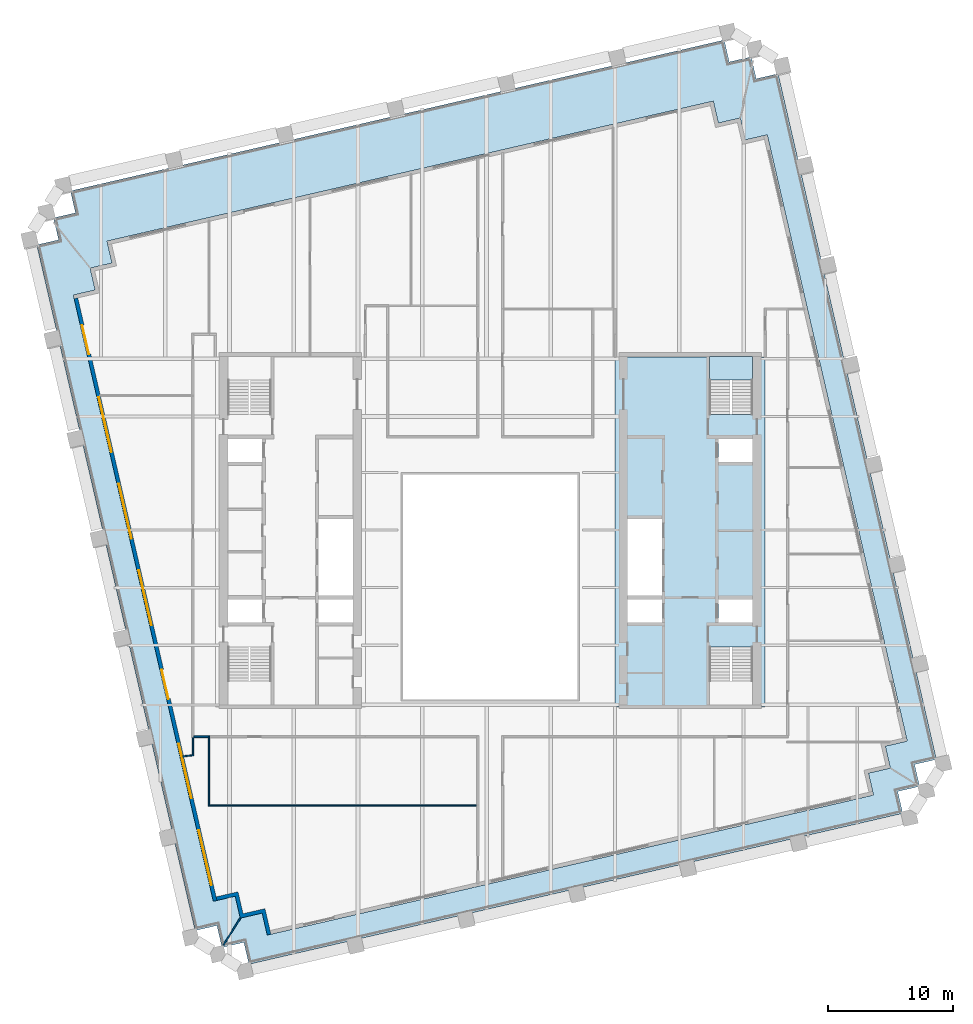
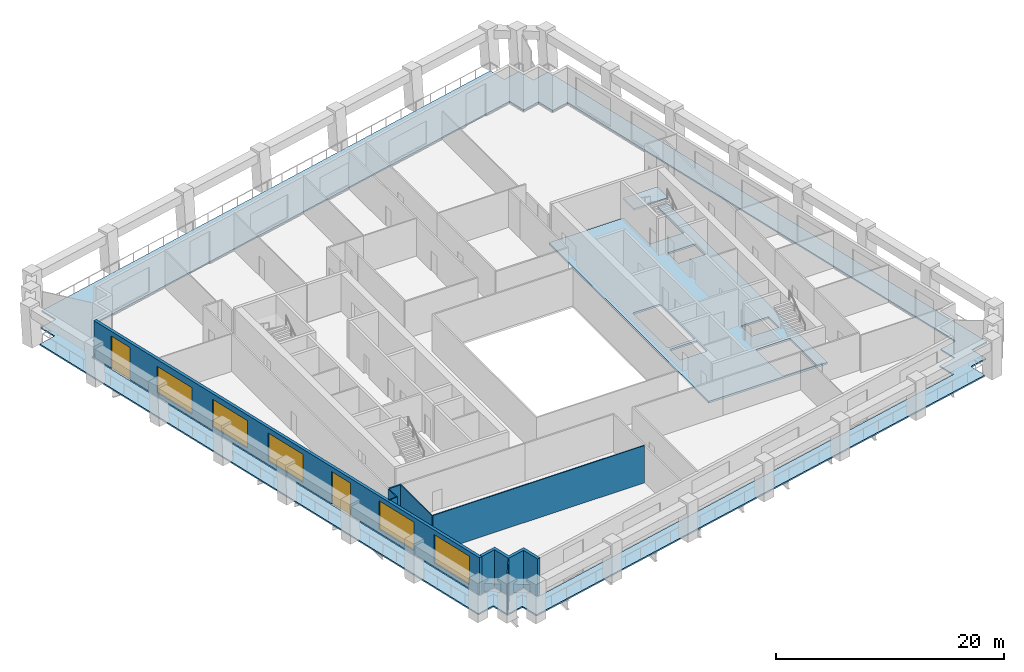
# One storey, part 3 of 10: 8 walls, 5 windows, 3 slabs, 2 doors, 7 openings, 1 element without a shape of its own.
"""IFC4 building model written with IfcOpenShell, lengths in metres."""

from ifc_helpers import new_model, si_unit, direction, frame, frame_2d, origin, place, context, subcontext, project, spatial, polyline, rectangle, outline, extrude, material, layer, layer_set, type_object, element, fill, aggregate, save


model = new_model("IFC4")

# Units and contexts
model_context = context("Model", 3, precision=1e-05, world=origin(), true_north=direction((0.0, 1.0)))
body_context = subcontext(model_context, "Body", "Model", "MODEL_VIEW")
ifc_project = project(units=[si_unit("LENGTHUNIT", "METRE"), si_unit("AREAUNIT", "SQUARE_METRE"), si_unit("VOLUMEUNIT", "CUBIC_METRE"), si_unit("PLANEANGLEUNIT", "RADIAN"), si_unit("MASSUNIT", "GRAM", prefix="KILO")], contexts=[model_context])

# Site, building, storey
site_placement = place(None, origin())
site = spatial("IfcSite", under=ifc_project, at=site_placement, CompositionType="ELEMENT")
building_placement = place(site_placement, origin())
building = spatial("IfcBuilding", under=site, at=building_placement, Name="Ogive Exchange Tower", CompositionType="ELEMENT")
storey_placement = place(building_placement, frame((0.0, 0.0, 196.800048828125)))
storey = spatial("IfcBuildingStorey", under=building, at=storey_placement, Name="L43", CompositionType="ELEMENT", Elevation=196.800048828125)

# Slabs
ifc_material_1 = material(Name="Concrete C70/85", Category="concrete")
ifc_layer_1 = layer(ifc_material_1, 0.199951171875)
ifc_layer_set_1 = layer_set([ifc_layer_1], Name="Core floor slab 200")
slab_type_1 = type_object("IfcSlabType", Name="Core floor slab 200", PredefinedType="FLOOR", material=ifc_layer_set_1)
slab_1_placement = place(storey_placement, frame((0.0, 0.0, -0.199951171875)))
element("IfcSlab", 1, at=slab_1_placement, inside=storey, type_object=slab_type_1, Name="Core floor slab", PredefinedType="FLOOR", context=body_context, shape_type="SweptSolid", body=[
    extrude(outline(polyline([(22.0, 25.39990234375), (22.0, -2.60009765625), (10.0, -2.60009765625), (10.0, 25.39990234375), (17.550048828125, 25.39990234375), (17.550048828125, 20.803955078125), (21.0, 20.803955078125), (21.0, 25.39990234375), (22.0, 25.39990234375)]), holes=[polyline([(21.0, 2.196044921875), (17.550048828125, 2.196044921875), (17.550048828125, -2.449951171875), (21.0, -2.449951171875), (21.0, 2.196044921875)]), polyline([(13.75, 5.992919921875), (11.0, 5.992919921875), (11.0, 4.14990234375), (13.75, 4.14990234375), (13.75, 5.992919921875)]), polyline([(21.0, 5.992919921875), (18.25, 5.992919921875), (18.25, 4.14990234375), (21.0, 4.14990234375), (21.0, 5.992919921875)]), polyline([(11.0, 12.42138671875), (11.0, 6.29296875), (13.75, 6.29296875), (13.75, 12.42138671875), (11.0, 12.42138671875)]), polyline([(21.0, 18.85009765625), (18.25, 18.85009765625), (18.25, 17.007080078125), (21.0, 17.007080078125), (21.0, 18.85009765625)])]), origin(), (0.0, 0.0, 1.0), 0.199951171875),
])
ifc_material_2 = material(Name="Concrete C50/60", Category="concrete")
ifc_layer_2 = layer(ifc_material_2, 0.14990234375)
ifc_layer_set_2 = layer_set([ifc_layer_2], Name="Loggia deck 150")
slab_type_2 = type_object("IfcSlabType", Name="Loggia deck 150", PredefinedType="FLOOR", material=ifc_layer_set_2)
slab_2_placement = place(storey_placement, frame((0.0, 0.0, -0.199951171875)))
element("IfcSlab", 2, at=slab_2_placement, inside=storey, type_object=slab_type_2, Name="Loggia deck", PredefinedType="FLOOR", context=body_context, shape_type="SweptSolid", body=[
    extrude(outline(polyline([(-19.717041015625, -21.45556640625), (-21.470947265625, -21.860595703125), (-21.875732421875, -20.106689453125), (-23.629638671875, -20.51171875), (-36.29931640625, 34.36669921875), (-34.54541015625, 34.771484375), (-34.9501953125, 36.525390625), (-33.196533203125, 36.930419921875), (-33.601318359375, 38.684326171875), (18.722412109375, 50.76416015625), (19.127197265625, 49.01025390625), (20.881103515625, 49.415283203125), (21.285888671875, 47.661376953125), (23.039794921875, 48.066162109375), (35.70947265625, -6.81201171875), (33.95556640625, -7.217041015625), (34.360595703125, -8.970947265625), (32.606689453125, -9.375732421875), (33.01171875, -11.129638671875), (-19.31201171875, -23.20947265625), (-19.717041015625, -21.45556640625)]), holes=[polyline([(30.26806640625, -7.914306640625), (32.02197265625, -7.509521484375), (31.616943359375, -5.755615234375), (33.370849609375, -5.3505859375), (22.168212890625, 43.1728515625), (20.414306640625, 42.76806640625), (20.009521484375, 44.52197265625), (18.255615234375, 44.116943359375), (17.8505859375, 45.870849609375), (-30.6728515625, 34.668212890625), (-30.26806640625, 32.914306640625), (-32.02197265625, 32.509521484375), (-31.616943359375, 30.755615234375), (-33.370849609375, 30.3505859375), (-22.168212890625, -18.1728515625), (-20.414306640625, -17.76806640625), (-20.009521484375, -19.52197265625), (-18.255615234375, -19.116943359375), (-17.8505859375, -20.870849609375), (30.6728515625, -9.668212890625), (30.26806640625, -7.914306640625)])]), origin(), (0.0, 0.0, 1.0), 0.14990234375),
])

# Stair, slab
ifc_material_3 = material(Name="Concrete C40/50", Category="concrete")
stair_type = type_object("IfcStairType", Name="Exit stair 1650 wide", PredefinedType="HALF_TURN_STAIR", material=ifc_material_3)
stair_placement = place(storey_placement, origin())
stair = element("IfcStair", 3, at=stair_placement, inside=storey, type_object=stair_type, Name="L43 exit stair ST4", PredefinedType="HALF_TURN_STAIR")
ifc_layer_3 = layer(ifc_material_3, 0.199951171875)
ifc_layer_set_3 = layer_set([ifc_layer_3], Name="Stair landing 200 slab")
slab_type_3 = type_object("IfcSlabType", Name="Stair landing 200 slab", PredefinedType="LANDING", material=ifc_layer_set_3)
slab_3_placement = place(storey_placement, frame((0.0, 0.0, 1.89990234375)))
slab_3 = element("IfcSlab", 4, at=slab_3_placement, type_object=slab_type_3, Name="ST4 landing 1", PredefinedType="LANDING", context=body_context, shape_type="SweptSolid", body=[
    extrude(outline(polyline([(21.0, 23.550048828125), (21.0, 25.449951171875), (17.550048828125, 25.449951171875), (17.550048828125, 23.550048828125), (21.0, 23.550048828125)])), origin(), (0.0, 0.0, 1.0), 0.199951171875),
])
aggregate(stair, [slab_3])

# Wall
ifc_material_4 = material(Name="Fire partition EI 60 150")
ifc_layer_4 = layer(ifc_material_4, 0.14990234375)
ifc_layer_set_4 = layer_set([ifc_layer_4], Name="Fire partition EI 60 150")
wall_type_1 = type_object("IfcWallType", Name="Fire partition EI 60 150", PredefinedType="PARTITIONING", material=ifc_layer_set_4)
wall_1_placement = place(storey_placement, frame((-22.570068359375, -5.0, 0.0), z_axis=(0.0, 0.0, 1.0), x_axis=(-1.0, 0.0, 0.0)))
element("IfcWall", 5, at=wall_1_placement, inside=storey, type_object=wall_type_1, Name="L43-PWL-008", PredefinedType="PARTITIONING", context=body_context, shape_type="SweptSolid", body=[
    extrude(rectangle(XDim=1.14501953125, YDim=0.14990234375, at=frame_2d((0.572509765625, 0.0))), origin(), (0.0, 0.0, 1.0), 4.0),
])

# Wall, openings, doors, windows
ifc_material_5 = material(Name="Precast concrete C40/50", Category="concrete")
ifc_layer_5 = layer(ifc_material_5, 0.300048828125)
ifc_layer_set_5 = layer_set([ifc_layer_5], Name="Limestone-faced wall 300")
wall_type_2 = type_object("IfcWallType", Name="Limestone-faced wall 300", PredefinedType="STANDARD", material=ifc_layer_set_5)
wall_2_placement = place(storey_placement, frame((-33.1572265625, 30.092041015625, 0.0), z_axis=(0.0, 0.0, 1.0), x_axis=(0.224950279389, -0.974370243697, 0.0)))
wall_2 = element("IfcWall", 6, at=wall_2_placement, inside=storey, type_object=wall_type_2, Name="External wall W4", PredefinedType="STANDARD", context=body_context, shape_type="SweptSolid", body=[
    extrude(rectangle(XDim=49.499755859375, YDim=0.300048828125, at=frame_2d((24.75, 0.0))), origin(), (0.0, 0.0, 1.0), 4.0),
])
opening_1_placement = place(wall_2_placement, frame((2.20703125, 0.0, 0.0)))
opening_1 = element("IfcOpeningElement", 7, at=opening_1_placement, cuts=wall_2, Name="Opening D1", PredefinedType="OPENING", context=body_context, shape_type="SweptSolid", body=[
    extrude(rectangle(XDim=2.39990234375, YDim=3.5, at=frame_2d((1.199951171875, 1.75))), frame((0.0, 0.159912109375, 0.0), z_axis=(0.0, -1.0, 0.0), x_axis=(1.0, 0.0, 0.0)), (0.0, 0.0, 1.0), 0.320068359375),
])
opening_2_placement = place(wall_2_placement, frame((8.121337890625, 0.0, 0.449951171875)))
opening_2 = element("IfcOpeningElement", 8, at=opening_2_placement, cuts=wall_2, Name="Opening W1E", PredefinedType="OPENING", context=body_context, shape_type="SweptSolid", body=[
    extrude(rectangle(XDim=4.5, YDim=2.824951171875, at=frame_2d((2.25, 1.41259765625))), frame((0.0, 0.159912109375, 0.0), z_axis=(0.0, -1.0, 0.0), x_axis=(1.0, 0.0, 0.0)), (0.0, 0.0, 1.0), 0.320068359375),
])
opening_3_placement = place(wall_2_placement, frame((15.235595703125, 0.0, 0.449951171875)))
opening_3 = element("IfcOpeningElement", 9, at=opening_3_placement, cuts=wall_2, Name="Opening W1B", PredefinedType="OPENING", context=body_context, shape_type="SweptSolid", body=[
    extrude(rectangle(XDim=4.5, YDim=2.949951171875, at=frame_2d((2.25, 1.47509765625))), frame((0.0, 0.159912109375, 0.0), z_axis=(0.0, -1.0, 0.0), x_axis=(1.0, 0.0, 0.0)), (0.0, 0.0, 1.0), 0.320068359375),
])
opening_4_placement = place(wall_2_placement, frame((22.35009765625, 0.0, 0.449951171875)))
opening_4 = element("IfcOpeningElement", 10, at=opening_4_placement, cuts=wall_2, Name="Opening W1A", PredefinedType="OPENING", context=body_context, shape_type="SweptSolid", body=[
    extrude(rectangle(XDim=4.5, YDim=3.0, at=frame_2d((2.25, 1.5))), frame((0.0, 0.159912109375, 0.0), z_axis=(0.0, -1.0, 0.0), x_axis=(1.0, 0.0, 0.0)), (0.0, 0.0, 1.0), 0.320068359375),
])
opening_5_placement = place(wall_2_placement, frame((30.51416015625, 0.0, 0.0)))
opening_5 = element("IfcOpeningElement", 11, at=opening_5_placement, cuts=wall_2, Name="Opening D1", PredefinedType="OPENING", context=body_context, shape_type="SweptSolid", body=[
    extrude(rectangle(XDim=2.39990234375, YDim=3.5, at=frame_2d((1.199951171875, 1.75))), frame((0.0, 0.159912109375, 0.0), z_axis=(0.0, -1.0, 0.0), x_axis=(1.0, 0.0, 0.0)), (0.0, 0.0, 1.0), 0.320068359375),
])
opening_6_placement = place(wall_2_placement, frame((36.57861328125, 0.0, 0.449951171875)))
opening_6 = element("IfcOpeningElement", 12, at=opening_6_placement, cuts=wall_2, Name="Opening W1", PredefinedType="OPENING", context=body_context, shape_type="SweptSolid", body=[
    extrude(rectangle(XDim=4.5, YDim=3.050048828125, at=frame_2d((2.25, 1.52490234375))), frame((0.0, 0.159912109375, 0.0), z_axis=(0.0, -1.0, 0.0), x_axis=(1.0, 0.0, 0.0)), (0.0, 0.0, 1.0), 0.320068359375),
])
opening_7_placement = place(wall_2_placement, frame((43.69287109375, 0.0, 0.449951171875)))
opening_7 = element("IfcOpeningElement", 13, at=opening_7_placement, cuts=wall_2, Name="Opening W1", PredefinedType="OPENING", context=body_context, shape_type="SweptSolid", body=[
    extrude(rectangle(XDim=4.5, YDim=3.050048828125, at=frame_2d((2.25, 1.52490234375))), frame((0.0, 0.159912109375, 0.0), z_axis=(0.0, -1.0, 0.0), x_axis=(1.0, 0.0, 0.0)), (0.0, 0.0, 1.0), 0.320068359375),
])
ifc_material_6 = material(Name="Clear glass in bronze frame", Category="glass")
door_type = type_object("IfcDoorType", Name="Sliding loggia door 2400 x 3500", OperationType="DOUBLE_DOOR_SLIDING", PredefinedType="DOOR", material=ifc_material_6)
door_1_placement = place(opening_1_placement, origin())
door_1 = element("IfcDoor", 14, at=door_1_placement, inside=storey, type_object=door_type, Name="Loggia door W00", OperationType="DOUBLE_DOOR_SLIDING", OverallHeight=3.5, OverallWidth=2.39990234375, PredefinedType="DOOR", context=body_context, shape_type="SweptSolid", body=[
    extrude(rectangle(XDim=2.39990234375, YDim=3.5, at=frame_2d((1.199951171875, 1.75))), frame((0.0, 0.02490234375, 0.0), z_axis=(0.0, -1.0, 0.0), x_axis=(1.0, 0.0, 0.0)), (0.0, 0.0, 1.0), 0.050048828125),
])
fill(opening_1, door_1)
door_2_placement = place(opening_5_placement, origin())
door_2 = element("IfcDoor", 15, at=door_2_placement, inside=storey, type_object=door_type, Name="Loggia door W04", OperationType="DOUBLE_DOOR_SLIDING", OverallHeight=3.5, OverallWidth=2.39990234375, PredefinedType="DOOR", context=body_context, shape_type="SweptSolid", body=[
    extrude(rectangle(XDim=2.39990234375, YDim=3.5, at=frame_2d((1.199951171875, 1.75))), frame((0.0, 0.02490234375, 0.0), z_axis=(0.0, -1.0, 0.0), x_axis=(1.0, 0.0, 0.0)), (0.0, 0.0, 1.0), 0.050048828125),
])
fill(opening_5, door_2)
window_type_1 = type_object("IfcWindowType", Name="Twin lancet window 4500 x 2825", PartitioningType="DOUBLE_PANEL_VERTICAL", PredefinedType="WINDOW", material=ifc_material_6)
window_1_placement = place(opening_2_placement, origin())
window_1 = element("IfcWindow", 16, at=window_1_placement, inside=storey, type_object=window_type_1, Name="Window W01", OverallHeight=2.824951171875, OverallWidth=4.5, PartitioningType="DOUBLE_PANEL_VERTICAL", PredefinedType="WINDOW", context=body_context, shape_type="SweptSolid", body=[
    extrude(rectangle(XDim=4.5, YDim=2.824951171875, at=frame_2d((2.25, 1.41259765625))), frame((0.0, 0.030029296875, 0.0), z_axis=(0.0, -1.0, 0.0), x_axis=(1.0, 0.0, 0.0)), (0.0, 0.0, 1.0), 0.06005859375),
])
fill(opening_2, window_1)
window_type_2 = type_object("IfcWindowType", Name="Twin lancet window 4500 x 2950", PartitioningType="DOUBLE_PANEL_VERTICAL", PredefinedType="WINDOW", material=ifc_material_6)
window_2_placement = place(opening_3_placement, origin())
window_2 = element("IfcWindow", 17, at=window_2_placement, inside=storey, type_object=window_type_2, Name="Window W02", OverallHeight=2.949951171875, OverallWidth=4.5, PartitioningType="DOUBLE_PANEL_VERTICAL", PredefinedType="WINDOW", context=body_context, shape_type="SweptSolid", body=[
    extrude(rectangle(XDim=4.5, YDim=2.949951171875, at=frame_2d((2.25, 1.47509765625))), frame((0.0, 0.030029296875, 0.0), z_axis=(0.0, -1.0, 0.0), x_axis=(1.0, 0.0, 0.0)), (0.0, 0.0, 1.0), 0.06005859375),
])
fill(opening_3, window_2)
window_type_3 = type_object("IfcWindowType", Name="Twin lancet window 4500 x 3000", PartitioningType="DOUBLE_PANEL_VERTICAL", PredefinedType="WINDOW", material=ifc_material_6)
window_3_placement = place(opening_4_placement, origin())
window_3 = element("IfcWindow", 18, at=window_3_placement, inside=storey, type_object=window_type_3, Name="Window W03", OverallHeight=3.0, OverallWidth=4.5, PartitioningType="DOUBLE_PANEL_VERTICAL", PredefinedType="WINDOW", context=body_context, shape_type="SweptSolid", body=[
    extrude(rectangle(XDim=4.5, YDim=3.0, at=frame_2d((2.25, 1.5))), frame((0.0, 0.030029296875, 0.0), z_axis=(0.0, -1.0, 0.0), x_axis=(1.0, 0.0, 0.0)), (0.0, 0.0, 1.0), 0.06005859375),
])
fill(opening_4, window_3)
window_type_4 = type_object("IfcWindowType", Name="Twin lancet window 4500 x 3050", PartitioningType="DOUBLE_PANEL_VERTICAL", PredefinedType="WINDOW", material=ifc_material_6)
window_4_placement = place(opening_6_placement, origin())
window_4 = element("IfcWindow", 19, at=window_4_placement, inside=storey, type_object=window_type_4, Name="Window W05", OverallHeight=3.050048828125, OverallWidth=4.5, PartitioningType="DOUBLE_PANEL_VERTICAL", PredefinedType="WINDOW", context=body_context, shape_type="SweptSolid", body=[
    extrude(rectangle(XDim=4.5, YDim=3.050048828125, at=frame_2d((2.25, 1.52490234375))), frame((0.0, 0.030029296875, 0.0), z_axis=(0.0, -1.0, 0.0), x_axis=(1.0, 0.0, 0.0)), (0.0, 0.0, 1.0), 0.06005859375),
])
fill(opening_6, window_4)
window_5_placement = place(opening_7_placement, origin())
window_5 = element("IfcWindow", 20, at=window_5_placement, inside=storey, type_object=window_type_4, Name="Window W06", OverallHeight=3.050048828125, OverallWidth=4.5, PartitioningType="DOUBLE_PANEL_VERTICAL", PredefinedType="WINDOW", context=body_context, shape_type="SweptSolid", body=[
    extrude(rectangle(XDim=4.5, YDim=3.050048828125, at=frame_2d((2.25, 1.52490234375))), frame((0.0, 0.030029296875, 0.0), z_axis=(0.0, -1.0, 0.0), x_axis=(1.0, 0.0, 0.0)), (0.0, 0.0, 1.0), 0.06005859375),
])
fill(opening_7, window_5)

# Walls
wall_3_placement = place(storey_placement, origin())
element("IfcWall", 21, at=wall_3_placement, inside=storey, type_object=wall_type_2, Name="External corner wall C4", PredefinedType="STANDARD", context=body_context, shape_type="SweptSolid", body=[
    extrude(outline(polyline([(-18.255615234375, -19.116943359375), (-20.009521484375, -19.52197265625), (-20.414306640625, -17.76806640625), (-21.8759765625, -18.10546875), (-21.943359375, -17.81298828125), (-20.189697265625, -17.408203125), (-19.78466796875, -19.162109375), (-18.03076171875, -18.757080078125), (-17.558349609375, -20.80322265625), (-17.8505859375, -20.870849609375), (-18.255615234375, -19.116943359375)])), origin(), (0.0, 0.0, 1.0), 4.0),
])
ifc_material_7 = material(Name="Laminated safety glass in steel frame", Category="steel")
ifc_layer_6 = layer(ifc_material_7, 0.10009765625)
ifc_layer_set_6 = layer_set([ifc_layer_6], Name="Loggia end screen 100")
wall_type_3 = type_object("IfcWallType", Name="Loggia end screen 100", PredefinedType="STANDARD", material=ifc_layer_set_6)
wall_4_placement = place(storey_placement, frame((-20.009521484375, -19.52197265625, -0.050048828125), z_axis=(0.0, 0.0, 1.0), x_axis=(-0.529920736377, -0.848047176257, 0.0)))
element("IfcWall", 22, at=wall_4_placement, inside=storey, type_object=wall_type_3, Name="Loggia end screen C4", PredefinedType="STANDARD", context=body_context, shape_type="SweptSolid", body=[
    extrude(rectangle(XDim=2.525634765625, YDim=0.10009765625, at=frame_2d((1.2626953125, 0.0))), origin(), (0.0, 0.0, 1.0), 4.050048828125),
])
ifc_material_8 = material(Name="Partition 100 gypsum")
ifc_layer_7 = layer(ifc_material_8, 0.10009765625)
ifc_layer_set_7 = layer_set([ifc_layer_7], Name="Partition 100 gypsum")
wall_type_4 = type_object("IfcWallType", Name="Partition 100 gypsum", PredefinedType="PARTITIONING", material=ifc_layer_set_7)
wall_5_placement = place(storey_placement, frame((-24.6201171875, -6.574951171875, 0.0), z_axis=(0.0, 0.0, 1.0), x_axis=(0.993501545499, 0.113818623659, 0.0)))
element("IfcWall", 23, at=wall_5_placement, inside=storey, type_object=wall_type_4, Name="L43-PWL-002", PredefinedType="PARTITIONING", context=body_context, shape_type="SweptSolid", body=[
    extrude(rectangle(XDim=0.885986328125, YDim=0.10009765625, at=frame_2d((0.44287109375, 0.0))), origin(), (0.0, 0.0, 1.0), 4.0),
])
wall_6_placement = place(storey_placement, frame((-23.7900390625, -5.074951171875, 0.0), z_axis=(0.0, 0.0, 1.0), x_axis=(0.0, -1.0, 0.0)))
element("IfcWall", 24, at=wall_6_placement, inside=storey, type_object=wall_type_4, Name="L43-PWL-006", PredefinedType="PARTITIONING", context=body_context, shape_type="SweptSolid", body=[
    extrude(rectangle(XDim=1.35498046875, YDim=0.10009765625, at=frame_2d((0.677490234375, 0.0))), origin(), (0.0, 0.0, 1.0), 4.0),
])
wall_7_placement = place(storey_placement, frame((-22.52001953125, -10.550048828125, 0.0), z_axis=(0.0, 0.0, 1.0), x_axis=(0.0, 1.0, 0.0)))
element("IfcWall", 25, at=wall_7_placement, inside=storey, type_object=wall_type_4, Name="L43-PWL-007", PredefinedType="PARTITIONING", context=body_context, shape_type="SweptSolid", body=[
    extrude(rectangle(XDim=5.625, YDim=0.10009765625, at=frame_2d((2.8125, 0.0))), origin(), (0.0, 0.0, 1.0), 4.0),
])
wall_8_placement = place(storey_placement, frame((-1.06494140625, -10.5, 0.0), z_axis=(0.0, 0.0, 1.0), x_axis=(-1.0, 0.0, 0.0)))
element("IfcWall", 26, at=wall_8_placement, inside=storey, type_object=wall_type_4, Name="L43-PWL-024", PredefinedType="PARTITIONING", context=body_context, shape_type="SweptSolid", body=[
    extrude(rectangle(XDim=21.405029296875, YDim=0.10009765625, at=frame_2d((10.70263671875, 0.0))), origin(), (0.0, 0.0, 1.0), 4.0),
])

save(model, "model.ifc")
